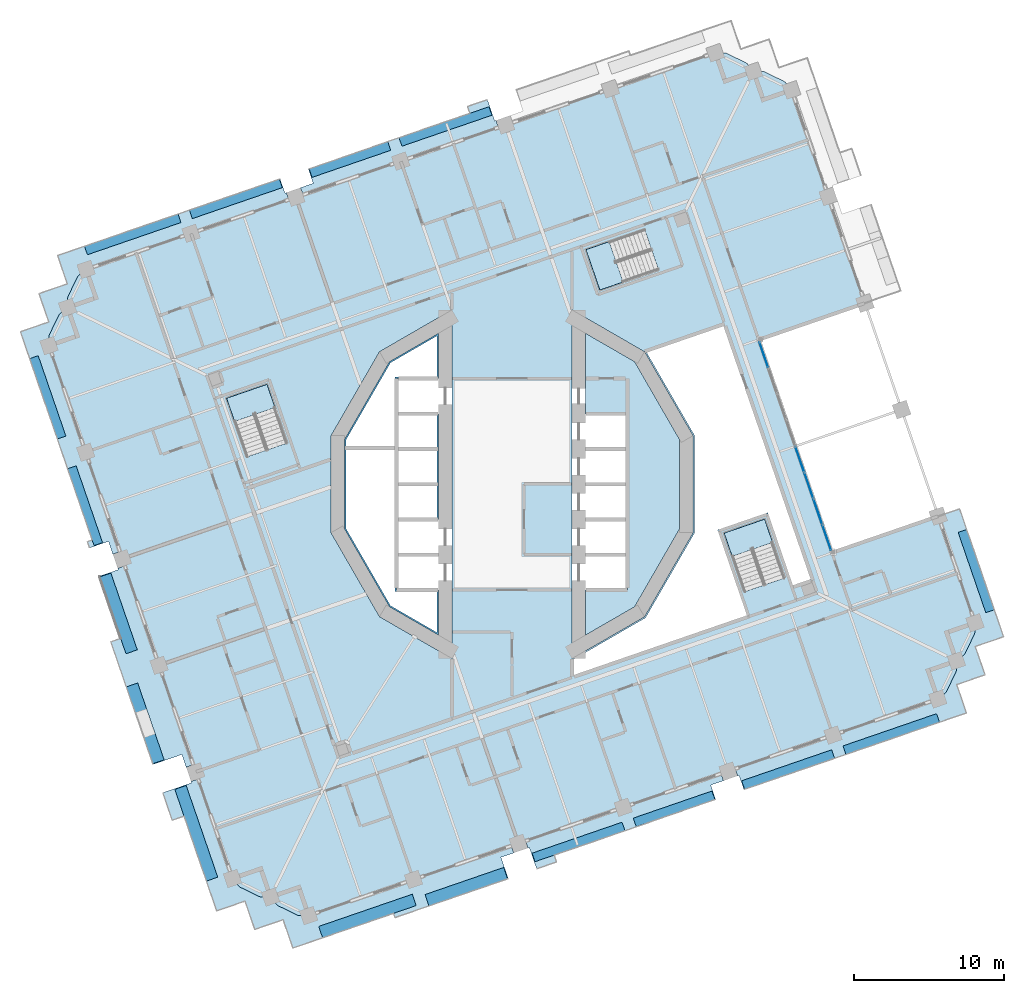
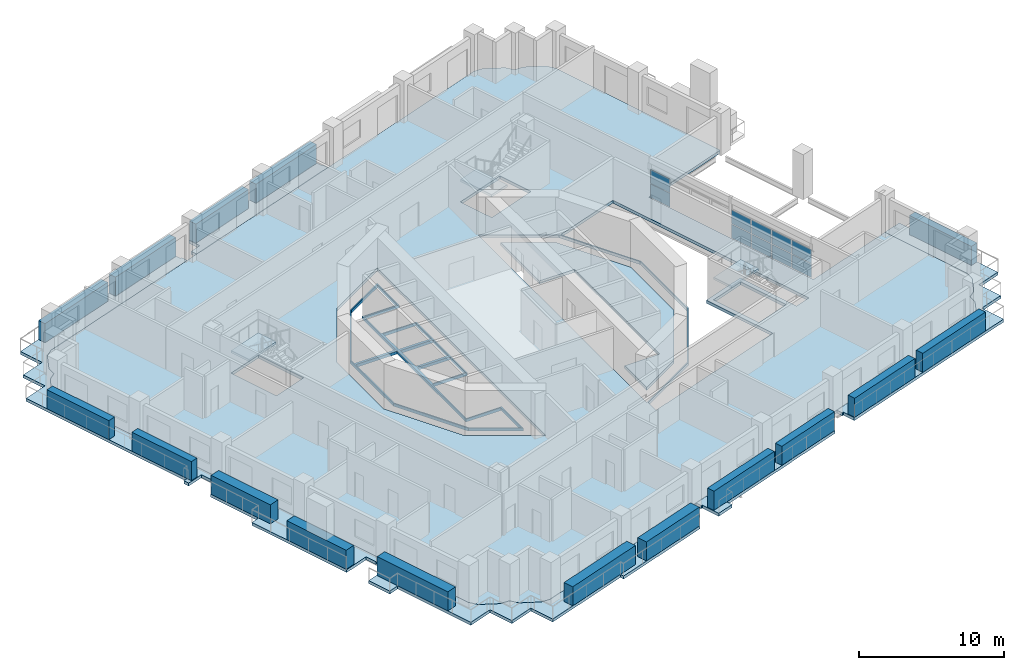
# One storey, part 6 of 22: 26 plates, 12 slabs, 4 elements without a shape of their own.
"""IFC4 building model written with IfcOpenShell, lengths in metres."""

import ifcopenshell
import ifcopenshell.guid

model = None  # the IFC model being written
_history = None  # IfcOwnerHistory: only IFC2X3 demands one
_inside = {}  # id of a spatial element -> (the spatial element, [elements in it])
_under = {}  # id of a project, library or spatial element -> (it, [spatial elements below it])
_declared = {}  # id of a project -> (the project, [libraries it declares])
_typed = {}  # id of a type object -> (the type object, [elements of that type])
_made_of = {}  # id of a material, layer set ... -> (it, [elements and type objects made of it])


def new_model(schema):
    """Start an empty IFC model of exactly this schema.

    Asked for "IFC4X3", IfcOpenShell would pick the latest addendum, in which some entities
    have other attributes; the version numbers below select the first issue.
    IFC2X3 requires an IfcOwnerHistory on every rooted entity: one is made here for all.
    """
    global model, _history
    if schema == "IFC4X3":
        model = ifcopenshell.file(schema_version=(4, 3, 0, 0))
    else:
        model = ifcopenshell.file(schema=schema)
    _inside.clear()
    _under.clear()
    _declared.clear()
    _typed.clear()
    _made_of.clear()
    _history = None
    if model.schema == "IFC2X3":
        org = make("IfcOrganization", Name="unknown")
        user = make(
            "IfcPersonAndOrganization",
            ThePerson=make("IfcPerson", FamilyName="unknown"),
            TheOrganization=org,
        )
        app = make(
            "IfcApplication",
            ApplicationDeveloper=org,
            Version="unknown",
            ApplicationFullName="unknown",
            ApplicationIdentifier="unknown",
        )
        _history = make(
            "IfcOwnerHistory",
            OwningUser=user,
            OwningApplication=app,
            ChangeAction="ADDED",
            CreationDate=0,
        )
    return model


def make(cls, **values):
    """One entity of the class cls with the attributes given. An attribute that is None is left unset."""
    return model.create_entity(
        cls, **{name: value for name, value in values.items() if value is not None}
    )


def rooted(cls, **values):
    """An entity with a GlobalId (a new one), such as an element, a storey or a relation."""
    return make(cls, GlobalId=ifcopenshell.guid.new(), OwnerHistory=_history, **values)


def si_unit(unit_type, name, prefix=None):
    """IfcSIUnit, for example si_unit("LENGTHUNIT", "METRE", prefix="MILLI")."""
    return make("IfcSIUnit", UnitType=unit_type, Prefix=prefix, Name=name)


def assignment(units):
    """IfcUnitAssignment: the units of a project."""
    return None if units is None else make("IfcUnitAssignment", Units=units)


def point(xyz):
    """IfcCartesianPoint."""
    return None if xyz is None else make("IfcCartesianPoint", Coordinates=xyz)


def direction(xyz):
    """IfcDirection."""
    return None if xyz is None else make("IfcDirection", DirectionRatios=xyz)


def frame(location, z_axis=None, x_axis=None):
    """IfcAxis2Placement3D, a coordinate frame: its origin and axes. An axis left out is left unset."""
    return make(
        "IfcAxis2Placement3D",
        Location=point(location),
        Axis=direction(z_axis),
        RefDirection=direction(x_axis),
    )


def frame_2d(location, x_axis=None):
    """IfcAxis2Placement2D, a coordinate frame in the plane: its origin and x axis."""
    return make(
        "IfcAxis2Placement2D", Location=point(location), RefDirection=direction(x_axis)
    )


def origin():
    """The frame at (0, 0, 0) with its axes left unset."""
    return frame((0.0, 0.0, 0.0))


def origin_2d():
    """The frame at (0, 0) in the plane with its x axis left unset."""
    return frame_2d((0.0, 0.0))


def place(relative_to, where):
    """IfcLocalPlacement: puts the frame where relative to a parent placement (None: the world)."""
    return make(
        "IfcLocalPlacement", PlacementRelTo=relative_to, RelativePlacement=where
    )


def context(
    kind, dimensions, precision=None, world=None, true_north=None, identifier=None
):
    """IfcGeometricRepresentationContext, for example the 3D "Model" context."""
    return make(
        "IfcGeometricRepresentationContext",
        ContextIdentifier=identifier,
        ContextType=kind,
        CoordinateSpaceDimension=dimensions,
        Precision=precision,
        WorldCoordinateSystem=world,
        TrueNorth=true_north,
    )


def subcontext(parent, identifier, kind, view, scale=None):
    """IfcGeometricRepresentationSubContext, for example "Body" below "Model"."""
    return make(
        "IfcGeometricRepresentationSubContext",
        ContextIdentifier=identifier,
        ContextType=kind,
        ParentContext=parent,
        TargetScale=scale,
        TargetView=view,
    )


def project(units=None, contexts=None):
    """IfcProject with its units and contexts."""
    return rooted(
        "IfcProject",
        Name="project",
        RepresentationContexts=contexts,
        UnitsInContext=assignment(units),
    )


def spatial(cls, under=None, at=None, **own):
    """A site, building, storey or space (cls), placed at a placement, below another one or the project."""
    s = rooted(cls, ObjectPlacement=at, **own)
    if under is not None:
        _under.setdefault(under.id(), (under, []))[1].append(s)
    return s


def polyline(points):
    """IfcPolyline through the points."""
    return make("IfcPolyline", Points=[point(p) for p in points])


def profile(cls, at=None, kind="AREA", **sizes):
    """A parametric profile (cls). Its sizes go by their IFC names, for example OverallWidth=200.0."""
    return make(cls, ProfileType=kind, Position=at, **sizes)


def rectangle(**sizes):
    """IfcRectangleProfileDef."""
    return profile("IfcRectangleProfileDef", **sizes)


def outline(outer, holes=None, kind="AREA"):
    """IfcArbitraryClosedProfileDef: a profile drawn as a closed curve; with holes, ...WithVoids."""
    if holes is None:
        return make("IfcArbitraryClosedProfileDef", ProfileType=kind, OuterCurve=outer)
    return make(
        "IfcArbitraryProfileDefWithVoids",
        ProfileType=kind,
        OuterCurve=outer,
        InnerCurves=holes,
    )


def extrude(swept, where, along, depth):
    """IfcExtrudedAreaSolid: the profile swept, set in the frame where, extruded along a direction by depth."""
    return make(
        "IfcExtrudedAreaSolid",
        SweptArea=swept,
        Position=where,
        ExtrudedDirection=direction(along),
        Depth=depth,
    )


def shape(context_of_items, identifier, shape_type, items):
    """IfcShapeRepresentation: the items that make up one representation, for example the "Body"."""
    return make(
        "IfcShapeRepresentation",
        ContextOfItems=context_of_items,
        RepresentationIdentifier=identifier,
        RepresentationType=shape_type,
        Items=items,
    )


def material(Name=None, Category=None):
    """IfcMaterial."""
    return make("IfcMaterial", Name=Name, Category=Category)


def layer(
    of_material, thickness, ventilated=None, Name=None, Category=None, Priority=None
):
    """IfcMaterialLayer: one layer of a wall or slab, of a material (None: an air gap)."""
    return make(
        "IfcMaterialLayer",
        Material=of_material,
        LayerThickness=thickness,
        IsVentilated=ventilated,
        Name=Name,
        Category=Category,
        Priority=Priority,
    )


def layer_set(layers, Name=None):
    """IfcMaterialLayerSet."""
    return make("IfcMaterialLayerSet", MaterialLayers=layers, LayerSetName=Name)


def made_of(thing, what):
    """Note that an element or type object is made of a material, layer set ...; save() writes the relation."""
    if what is not None:
        _made_of.setdefault(what.id(), (what, []))[1].append(thing)
    return thing


def type_object(cls, material=None, **own):
    """A type object (cls), such as IfcWallType, which elements share."""
    return made_of(rooted(cls, **own), material)


def element(
    cls,
    number,
    at=None,
    inside=None,
    cuts=None,
    type_object=None,
    material=None,
    context=None,
    identifier="Body",
    shape_type=None,
    held_by="IfcProductDefinitionShape",
    body=None,
    shapes=None,
    **own,
):
    """One element of the class cls, such as IfcWall. Its Tag is "e" and its number.

    at: its placement. inside: the storey or other place that contains it. cuts: it is an
    opening in that element (IfcRelVoidsElement). A single representation is given by context,
    identifier, shape_type and body (its items); several are given by shapes. held_by: the class
    of the entity that holds the representations. save() writes the other relations.
    """
    e = rooted(cls, Tag="e%d" % number, ObjectPlacement=at, **own)
    if body is not None:
        shapes = [shape(context, identifier, shape_type, body)]
    if shapes is not None:
        e.Representation = make(held_by, Representations=shapes)
    if inside is not None:
        _inside.setdefault(inside.id(), (inside, []))[1].append(e)
    if cuts is not None:
        rooted(
            "IfcRelVoidsElement", RelatingBuildingElement=cuts, RelatedOpeningElement=e
        )
    if type_object is not None:
        _typed.setdefault(type_object.id(), (type_object, []))[1].append(e)
    return made_of(e, material)


def aggregate(whole, parts):
    """IfcRelAggregates: a whole, such as a stair, and the parts it consists of."""
    return rooted("IfcRelAggregates", RelatingObject=whole, RelatedObjects=parts)


def save(model, path):
    """Write the relations noted so far, then the file.

    IfcRelAggregates (storeys below a building ...), IfcRelContainedInSpatialStructure (elements
    in a storey), IfcRelDefinesByType, IfcRelAssociatesMaterial and IfcRelDeclares: one each for
    every whole, place, type object, material and project.
    """
    for whole, parts in _under.values():
        aggregate(whole, parts)
    for where, things in _inside.values():
        rooted(
            "IfcRelContainedInSpatialStructure",
            RelatedElements=things,
            RelatingStructure=where,
        )
    for kind, things in _typed.values():
        rooted("IfcRelDefinesByType", RelatedObjects=things, RelatingType=kind)
    for what, things in _made_of.values():
        rooted("IfcRelAssociatesMaterial", RelatedObjects=things, RelatingMaterial=what)
    for by, libraries in _declared.values():
        rooted("IfcRelDeclares", RelatingContext=by, RelatedDefinitions=libraries)
    model.write(path)


model = new_model("IFC4")

# Units and contexts
model_context = context("Model", 3, precision=1e-05, world=origin(), true_north=direction((0.0, 1.0)))
body_context = subcontext(model_context, "Body", "Model", "MODEL_VIEW")
ifc_project = project(units=[si_unit("LENGTHUNIT", "METRE"), si_unit("AREAUNIT", "SQUARE_METRE"), si_unit("VOLUMEUNIT", "CUBIC_METRE"), si_unit("PLANEANGLEUNIT", "RADIAN"), si_unit("MASSUNIT", "GRAM", prefix="KILO")], contexts=[model_context])

# Site, building, storey
site_placement = place(None, origin())
site = spatial("IfcSite", under=ifc_project, at=site_placement, CompositionType="ELEMENT")
building_placement = place(site_placement, origin())
building = spatial("IfcBuilding", under=site, at=building_placement, Name="Cantera Rosa Tower", CompositionType="ELEMENT")
storey_placement = place(building_placement, frame((0.0, 0.0, 115.5)))
storey = spatial("IfcBuildingStorey", under=building, at=storey_placement, Name="L23", CompositionType="ELEMENT", Elevation=115.5)

# Slabs
ifc_material_1 = material(Name="Concrete C35/45", Category="concrete")
ifc_layer_1 = layer(ifc_material_1, 0.25)
ifc_layer_set_1 = layer_set([ifc_layer_1], Name="COMPOSITE FLOOR SLAB 250 C35/45")
slab_type_1 = type_object("IfcSlabType", Name="COMPOSITE FLOOR SLAB 250 C35/45", PredefinedType="FLOOR", material=ifc_layer_set_1)
slab_1_placement = place(storey_placement, frame((0.0, 0.0, -0.25)))
element("IfcSlab", 1, at=slab_1_placement, inside=storey, type_object=slab_type_1, Name="SLAB L23 floor 1", PredefinedType="FLOOR", context=body_context, shape_type="SweptSolid", body=[
    extrude(outline(polyline([(-7.699951171875, -4.699951171875), (-7.699951171875, -7.050048828125), (-4.89990234375, -7.050048828125), (-4.89990234375, -10.07373046875), (-8.179931640625, -8.179931640625), (-11.174072265625, -2.994140625), (-11.174072265625, 2.994140625), (-8.179931640625, 8.179931640625), (-4.89990234375, 10.07373046875), (-4.89990234375, 7.050048828125), (-7.699951171875, 7.050048828125), (-7.699951171875, 4.699951171875), (-4.89990234375, 4.699951171875), (-4.89990234375, -2.35009765625), (-7.699951171875, -2.35009765625), (-7.699951171875, -4.699951171875)]), holes=[polyline([(-5.0, -9.900390625), (-5.0, -7.14990234375), (-7.800048828125, -7.14990234375), (-7.800048828125, -2.449951171875), (-7.800048828125, -2.25), (-7.800048828125, 2.25), (-7.800048828125, 2.317626953125), (-11.07421875, 2.317626953125), (-11.07421875, -2.96728515625), (-8.106689453125, -8.106689453125), (-5.0, -9.900390625)]), polyline([(-7.60009765625, -0.10009765625), (-7.60009765625, -2.25), (-5.0, -2.25), (-5.0, -0.10009765625), (-7.60009765625, -0.10009765625)]), polyline([(-7.60009765625, 0.10009765625), (-5.0, 0.10009765625), (-5.0, 2.25), (-7.60009765625, 2.25), (-7.60009765625, 0.10009765625)]), polyline([(-7.60009765625, 2.449951171875), (-5.0, 2.449951171875), (-5.0, 4.60009765625), (-7.60009765625, 4.60009765625), (-7.60009765625, 2.449951171875)]), polyline([(-11.07421875, 2.517578125), (-7.800048828125, 2.517578125), (-7.800048828125, 7.14990234375), (-5.0, 7.14990234375), (-5.0, 9.900390625), (-8.106689453125, 8.106689453125), (-11.07421875, 2.96728515625), (-11.07421875, 2.517578125)])]), origin(), (0.0, 0.0, 1.0), 0.25),
])
slab_2_placement = place(storey_placement, frame((0.0, 0.0, -0.25)))
element("IfcSlab", 2, at=slab_2_placement, inside=storey, type_object=slab_type_1, Name="SLAB L23 floor 2", PredefinedType="FLOOR", context=body_context, shape_type="SweptSolid", body=[
    extrude(outline(polyline([(-14.334716796875, -28.7451171875), (-15.605712890625, -28.125), (-15.631591796875, -28.111083984375), (-15.65576171875, -28.09423828125), (-15.67822265625, -28.075439453125), (-15.698974609375, -28.05419921875), (-16.109619140625, -27.54541015625), (-16.763671875, -27.534912109375), (-16.79296875, -27.53173828125), (-16.82177734375, -27.525634765625), (-16.849609375, -27.516845703125), (-16.876708984375, -27.505126953125), (-18.14794921875, -26.88525390625), (-18.173583984375, -26.87109375), (-18.197998046875, -26.8544921875), (-18.220458984375, -26.83544921875), (-18.240966796875, -26.814453125), (-18.65185546875, -26.3056640625), (-18.948974609375, -25.443115234375), (-30.893310546875, 9.245849609375), (-30.8828125, 9.899658203125), (-30.87939453125, 9.928955078125), (-30.873291015625, 9.957763671875), (-30.864501953125, 9.98583984375), (-30.852783203125, 10.012939453125), (-30.23291015625, 11.283935546875), (-30.21875, 11.309814453125), (-30.2021484375, 11.333984375), (-30.18310546875, 11.356689453125), (-30.162109375, 11.377197265625), (-29.6533203125, 11.7880859375), (-29.642822265625, 12.44189453125), (-29.6396484375, 12.47119140625), (-29.633544921875, 12.5), (-29.62451171875, 12.528076171875), (-29.613037109375, 12.55517578125), (-28.9931640625, 13.826171875), (-28.97900390625, 13.85205078125), (-28.962158203125, 13.876220703125), (-28.943359375, 13.898681640625), (-28.922119140625, 13.91943359375), (-28.41357421875, 14.330078125), (-27.55078125, 14.627197265625), (13.567626953125, 28.785400390625), (14.221435546875, 28.77490234375), (14.250732421875, 28.771728515625), (14.279541015625, 28.765625), (14.3076171875, 28.756591796875), (14.334716796875, 28.7451171875), (15.605712890625, 28.125), (15.631591796875, 28.111083984375), (15.65576171875, 28.09423828125), (15.67822265625, 28.075439453125), (15.698974609375, 28.05419921875), (16.109619140625, 27.54541015625), (16.763671875, 27.534912109375), (16.79296875, 27.53173828125), (16.82177734375, 27.525634765625), (16.849609375, 27.516845703125), (16.876708984375, 27.505126953125), (18.14794921875, 26.88525390625), (18.173583984375, 26.87109375), (18.197998046875, 26.8544921875), (18.220458984375, 26.83544921875), (18.240966796875, 26.814453125), (18.65185546875, 26.3056640625), (18.948974609375, 25.443115234375), (23.548583984375, 12.0849609375), (16.45703125, 9.643310546875), (21.353515625, -4.577392578125), (28.445068359375, -2.135498046875), (30.893310546875, -9.245849609375), (30.8828125, -9.899658203125), (30.87939453125, -9.928955078125), (30.873291015625, -9.957763671875), (30.864501953125, -9.98583984375), (30.852783203125, -10.012939453125), (30.23291015625, -11.283935546875), (30.21875, -11.309814453125), (30.2021484375, -11.333984375), (30.18310546875, -11.356689453125), (30.162109375, -11.377197265625), (29.6533203125, -11.7880859375), (29.642822265625, -12.44189453125), (29.6396484375, -12.47119140625), (29.633544921875, -12.5), (29.62451171875, -12.528076171875), (29.613037109375, -12.55517578125), (28.9931640625, -13.826171875), (28.97900390625, -13.85205078125), (28.962158203125, -13.876220703125), (28.943359375, -13.898681640625), (28.922119140625, -13.91943359375), (28.41357421875, -14.330078125), (27.55078125, -14.627197265625), (-13.567626953125, -28.785400390625), (-14.221435546875, -28.77490234375), (-14.250732421875, -28.771728515625), (-14.279541015625, -28.765625), (-14.3076171875, -28.756591796875), (-14.334716796875, -28.7451171875)]), holes=[polyline([(-4.0, 11.632568359375), (-8.8388671875, 8.8388671875), (-12.07421875, 3.235107421875), (-12.07421875, -3.235107421875), (-8.8388671875, -8.8388671875), (-4.0, -11.632568359375), (-4.0, 11.632568359375)]), polyline([(-15.000732421875, 2.751708984375), (-16.347900390625, 6.6640625), (-19.042724609375, 5.736083984375), (-17.695556640625, 1.82373046875), (-15.000732421875, 2.751708984375)]), polyline([(18.19921875, -6.248291015625), (16.85205078125, -2.3359375), (14.1572265625, -3.263916015625), (15.50439453125, -7.17626953125), (18.19921875, -6.248291015625)]), polyline([(15.68359375, -8.771728515625), (13.71240234375, -3.046875), (17.069091796875, -1.89111328125), (18.747314453125, -6.764892578125), (19.954345703125, -6.349365234375), (14.126708984375, 10.5751953125), (8.9755859375, 8.8017578125), (12.174072265625, 3.261962890625), (12.174072265625, -3.261962890625), (8.912109375, -8.912109375), (4.10009765625, -11.690185546875), (4.10009765625, -12.760498046875), (15.68359375, -8.771728515625)]), polyline([(8.8388671875, -8.8388671875), (12.07421875, -3.235107421875), (12.07421875, 3.235107421875), (8.8388671875, 8.8388671875), (4.0, 11.632568359375), (4.0, -11.632568359375), (8.8388671875, -8.8388671875)]), polyline([(9.7763671875, 14.304443359375), (8.848388671875, 16.999267578125), (4.935791015625, 15.652099609375), (5.86376953125, 12.957275390625), (9.7763671875, 14.304443359375)])]), origin(), (0.0, 0.0, 1.0), 0.25),
])
slab_3_placement = place(storey_placement, frame((0.0, 0.0, -0.25)))
element("IfcSlab", 3, at=slab_3_placement, inside=storey, type_object=slab_type_1, Name="SLAB L23 floor 3", PredefinedType="FLOOR", context=body_context, shape_type="SweptSolid", body=[
    extrude(outline(polyline([(7.699951171875, 0.0), (7.699951171875, 2.35009765625), (7.699951171875, 4.699951171875), (4.89990234375, 4.699951171875), (4.89990234375, 10.07373046875), (8.179931640625, 8.179931640625), (11.174072265625, 2.994140625), (11.174072265625, -2.994140625), (8.179931640625, -8.179931640625), (4.89990234375, -10.07373046875), (4.89990234375, -7.050048828125), (7.699951171875, -7.050048828125), (7.699951171875, -4.699951171875), (7.699951171875, -2.35009765625), (7.699951171875, 0.0)])), origin(), (0.0, 0.0, 1.0), 0.25),
])

# Curtain wall, plates
ifc_material_2 = material(Name="Aluminium frame with clear glass", Category="aluminium")
curtain_wall_type = type_object("IfcCurtainWallType", Name="CW1 TERRACE POCKET GLAZING", PredefinedType="NOTDEFINED", material=ifc_material_2)
curtain_wall_placement = place(storey_placement, origin())
curtain_wall = element("IfcCurtainWall", 4, at=curtain_wall_placement, inside=storey, type_object=curtain_wall_type, Name="CW1 CW1", PredefinedType="NOTDEFINED")
ifc_material_3 = material(Name="Aluminium frame with clear glass", Category="aluminium")
ifc_layer_2 = layer(ifc_material_3, 0.028076171875)
ifc_layer_set_2 = layer_set([ifc_layer_2], Name="CW-PANEL POCKET")
plate_type_1 = type_object("IfcPlateType", Name="CW-PANEL POCKET", PredefinedType="CURTAIN_PANEL", material=ifc_layer_set_2)
plate_1_placement = place(storey_placement, frame((21.007080078125, -3.571044921875, 0.06005859375), z_axis=(0.0, 0.0, 1.0), x_axis=(-0.32556815449, 0.945518575588, 0.0)))
plate_1 = element("IfcPlate", 5, at=plate_1_placement, type_object=plate_type_1, Name="CW1 panel 1.1", PredefinedType="CURTAIN_PANEL", context=body_context, shape_type="SweptSolid", body=[
    extrude(rectangle(XDim=1.7587890625, YDim=0.028076171875, at=origin_2d()), origin(), (0.0, 0.0, 1.0), 1.14990234375),
])
plate_2_placement = place(storey_placement, frame((21.007080078125, -3.571044921875, 1.27001953125), z_axis=(0.0, 0.0, 1.0), x_axis=(-0.32556815449, 0.945518575588, 0.0)))
plate_2 = element("IfcPlate", 6, at=plate_2_placement, type_object=plate_type_1, Name="CW1 panel 1.2", PredefinedType="CURTAIN_PANEL", context=body_context, shape_type="SweptSolid", body=[
    extrude(rectangle(XDim=1.7587890625, YDim=0.028076171875, at=origin_2d()), origin(), (0.0, 0.0, 1.0), 1.14990234375),
])
plate_3_placement = place(storey_placement, frame((20.41015625, -1.837158203125, 0.06005859375), z_axis=(0.0, 0.0, 1.0), x_axis=(-0.32556815449, 0.945518575588, 0.0)))
plate_3 = element("IfcPlate", 7, at=plate_3_placement, type_object=plate_type_1, Name="CW1 panel 2.1", PredefinedType="CURTAIN_PANEL", context=body_context, shape_type="SweptSolid", body=[
    extrude(rectangle(XDim=1.788818359375, YDim=0.028076171875, at=origin_2d()), origin(), (0.0, 0.0, 1.0), 1.14990234375),
])
plate_4_placement = place(storey_placement, frame((20.41015625, -1.837158203125, 1.27001953125), z_axis=(0.0, 0.0, 1.0), x_axis=(-0.32556815449, 0.945518575588, 0.0)))
plate_4 = element("IfcPlate", 8, at=plate_4_placement, type_object=plate_type_1, Name="CW1 panel 2.2", PredefinedType="CURTAIN_PANEL", context=body_context, shape_type="SweptSolid", body=[
    extrude(rectangle(XDim=1.788818359375, YDim=0.028076171875, at=origin_2d()), origin(), (0.0, 0.0, 1.0), 1.14990234375),
])
plate_5_placement = place(storey_placement, frame((19.80810546875, -0.089111328125, 0.06005859375), z_axis=(0.0, 0.0, 1.0), x_axis=(-0.32556815449, 0.945518575588, 0.0)))
plate_5 = element("IfcPlate", 9, at=plate_5_placement, type_object=plate_type_1, Name="CW1 panel 3.1", PredefinedType="CURTAIN_PANEL", context=body_context, shape_type="SweptSolid", body=[
    extrude(rectangle(XDim=1.788818359375, YDim=0.028076171875, at=origin_2d()), origin(), (0.0, 0.0, 1.0), 1.14990234375),
])
plate_6_placement = place(storey_placement, frame((19.80810546875, -0.089111328125, 1.27001953125), z_axis=(0.0, 0.0, 1.0), x_axis=(-0.32556815449, 0.945518575588, 0.0)))
plate_6 = element("IfcPlate", 10, at=plate_6_placement, type_object=plate_type_1, Name="CW1 panel 3.2", PredefinedType="CURTAIN_PANEL", context=body_context, shape_type="SweptSolid", body=[
    extrude(rectangle(XDim=1.788818359375, YDim=0.028076171875, at=origin_2d()), origin(), (0.0, 0.0, 1.0), 1.14990234375),
])
plate_7_placement = place(storey_placement, frame((19.206298828125, 1.658935546875, 0.06005859375), z_axis=(0.0, 0.0, 1.0), x_axis=(-0.32556815449, 0.945518575588, 0.0)))
plate_7 = element("IfcPlate", 11, at=plate_7_placement, type_object=plate_type_1, Name="CW1 panel 4.1", PredefinedType="CURTAIN_PANEL", context=body_context, shape_type="SweptSolid", body=[
    extrude(rectangle(XDim=1.788818359375, YDim=0.028076171875, at=origin_2d()), origin(), (0.0, 0.0, 1.0), 1.14990234375),
])
plate_8_placement = place(storey_placement, frame((19.206298828125, 1.658935546875, 1.27001953125), z_axis=(0.0, 0.0, 1.0), x_axis=(-0.32556815449, 0.945518575588, 0.0)))
plate_8 = element("IfcPlate", 12, at=plate_8_placement, type_object=plate_type_1, Name="CW1 panel 4.2", PredefinedType="CURTAIN_PANEL", context=body_context, shape_type="SweptSolid", body=[
    extrude(rectangle(XDim=1.788818359375, YDim=0.028076171875, at=origin_2d()), origin(), (0.0, 0.0, 1.0), 1.14990234375),
])
plate_9_placement = place(storey_placement, frame((16.803466796875, 8.636962890625, 0.06005859375), z_axis=(0.0, 0.0, 1.0), x_axis=(-0.32556815449, 0.945518575588, 0.0)))
plate_9 = element("IfcPlate", 13, at=plate_9_placement, type_object=plate_type_1, Name="CW1 panel 8.1", PredefinedType="CURTAIN_PANEL", context=body_context, shape_type="SweptSolid", body=[
    extrude(rectangle(XDim=1.7587890625, YDim=0.028076171875, at=origin_2d()), origin(), (0.0, 0.0, 1.0), 1.14990234375),
])
plate_10_placement = place(storey_placement, frame((16.803466796875, 8.636962890625, 1.27001953125), z_axis=(0.0, 0.0, 1.0), x_axis=(-0.32556815449, 0.945518575588, 0.0)))
plate_10 = element("IfcPlate", 14, at=plate_10_placement, type_object=plate_type_1, Name="CW1 panel 8.2", PredefinedType="CURTAIN_PANEL", context=body_context, shape_type="SweptSolid", body=[
    extrude(rectangle(XDim=1.7587890625, YDim=0.028076171875, at=origin_2d()), origin(), (0.0, 0.0, 1.0), 1.14990234375),
])
aggregate(curtain_wall, [plate_1, plate_2, plate_3, plate_4, plate_5, plate_6, plate_7, plate_8, plate_9, plate_10])

# Slabs
ifc_material_4 = material(Name="Concrete C35/45", Category="concrete")
ifc_layer_3 = layer(ifc_material_4, 0.25)
ifc_layer_set_3 = layer_set([ifc_layer_3], Name="LOGGIA SLAB 250 C35/45")
slab_type_2 = type_object("IfcSlabType", Name="LOGGIA SLAB 250 C35/45", PredefinedType="FLOOR", material=ifc_layer_set_3)
slab_4_placement = place(storey_placement, frame((0.0, 0.0, -0.25)))
element("IfcSlab", 15, at=slab_4_placement, inside=storey, type_object=slab_type_2, Name="LOGGIA SLAB L23 1", PredefinedType="FLOOR", context=body_context, shape_type="SweptSolid", body=[
    extrude(outline(polyline([(-29.375, 0.22900390625), (-30.3515625, 3.0654296875), (-32.3115234375, 8.757568359375), (-32.7998046875, 10.17578125), (-31.381591796875, 10.6640625), (-30.908935546875, 10.826904296875), (-31.071533203125, 11.2998046875), (-31.56005859375, 12.718017578125), (-30.1416015625, 13.206298828125), (-29.6689453125, 13.369140625), (-29.831787109375, 13.841796875), (-30.320068359375, 15.260009765625), (-28.90185546875, 15.74853515625), (-23.3232421875, 17.669189453125), (-20.48681640625, 18.64599609375), (-16.326416015625, 20.07861328125), (-15.4755859375, 20.37158203125), (-15.14990234375, 19.426025390625), (-15.055419921875, 19.45849609375), (-14.892578125, 18.98583984375), (-27.55078125, 14.627197265625), (-28.41357421875, 14.330078125), (-28.922119140625, 13.91943359375), (-28.943359375, 13.898681640625), (-28.962158203125, 13.876220703125), (-28.97900390625, 13.85205078125), (-28.9931640625, 13.826171875), (-29.613037109375, 12.55517578125), (-29.62451171875, 12.528076171875), (-29.633544921875, 12.5), (-29.6396484375, 12.47119140625), (-29.642822265625, 12.44189453125), (-29.6533203125, 11.7880859375), (-30.162109375, 11.377197265625), (-30.18310546875, 11.356689453125), (-30.2021484375, 11.333984375), (-30.21875, 11.309814453125), (-30.23291015625, 11.283935546875), (-30.852783203125, 10.012939453125), (-30.864501953125, 9.98583984375), (-30.873291015625, 9.957763671875), (-30.87939453125, 9.928955078125), (-30.8828125, 9.899658203125), (-30.893310546875, 9.245849609375), (-26.159423828125, -4.501953125), (-26.63232421875, -4.664794921875), (-26.92529296875, -3.813720703125), (-28.18896484375, -4.248779296875), (-28.3310546875, -3.836181640625), (-28.012939453125, -3.7265625), (-29.375, 0.22900390625)])), origin(), (0.0, 0.0, 1.0), 0.25),
])
slab_5_placement = place(storey_placement, frame((0.0, 0.0, -0.25)))
element("IfcSlab", 16, at=slab_5_placement, inside=storey, type_object=slab_type_2, Name="LOGGIA SLAB L23 2", PredefinedType="FLOOR", context=body_context, shape_type="SweptSolid", body=[
    extrude(outline(polyline([(-27.537841796875, -6.139892578125), (-26.274169921875, -5.704833984375), (-26.306640625, -5.6103515625), (-25.833984375, -5.447509765625), (-21.262939453125, -18.72265625), (-21.735595703125, -18.885498046875), (-22.02880859375, -18.034423828125), (-23.9521484375, -18.69677734375), (-26.769775390625, -10.513916015625), (-26.110107421875, -10.28662109375), (-27.537841796875, -6.139892578125)])), origin(), (0.0, 0.0, 1.0), 0.25),
])
slab_6_placement = place(storey_placement, frame((0.0, 0.0, -0.25)))
element("IfcSlab", 17, at=slab_6_placement, inside=storey, type_object=slab_type_2, Name="LOGGIA SLAB L23 3", PredefinedType="FLOOR", context=body_context, shape_type="SweptSolid", body=[
    extrude(outline(polyline([(-13.01416015625, -30.392822265625), (-14.62158203125, -30.9462890625), (-15.1748046875, -29.3388671875), (-15.272705078125, -29.05517578125), (-15.556396484375, -29.15283203125), (-17.16357421875, -29.706298828125), (-17.717041015625, -28.09912109375), (-17.814697265625, -27.815185546875), (-18.098388671875, -27.9130859375), (-19.705810546875, -28.466552734375), (-20.25927734375, -26.859130859375), (-21.882568359375, -22.14501953125), (-22.67138671875, -22.41650390625), (-23.301025390625, -20.587646484375), (-21.377685546875, -19.92529296875), (-21.41015625, -19.830810546875), (-20.9375, -19.668212890625), (-18.948974609375, -25.443115234375), (-18.65185546875, -26.3056640625), (-18.240966796875, -26.814453125), (-18.220458984375, -26.83544921875), (-18.197998046875, -26.8544921875), (-18.173583984375, -26.87109375), (-18.14794921875, -26.88525390625), (-16.876708984375, -27.505126953125), (-16.849609375, -27.516845703125), (-16.82177734375, -27.525634765625), (-16.79296875, -27.53173828125), (-16.763671875, -27.534912109375), (-16.109619140625, -27.54541015625), (-15.698974609375, -28.05419921875), (-15.67822265625, -28.075439453125), (-15.65576171875, -28.09423828125), (-15.631591796875, -28.111083984375), (-15.605712890625, -28.125), (-14.334716796875, -28.7451171875), (-14.3076171875, -28.756591796875), (-14.279541015625, -28.765625), (-14.250732421875, -28.771728515625), (-14.221435546875, -28.77490234375), (-13.567626953125, -28.785400390625), (-0.046630859375, -24.1298828125), (0.1162109375, -24.6025390625), (-0.73486328125, -24.8955078125), (-0.24658203125, -26.31298828125), (-7.81005859375, -28.91748046875), (-7.907470703125, -28.634521484375), (-13.01416015625, -30.392822265625)])), origin(), (0.0, 0.0, 1.0), 0.25),
])
slab_7_placement = place(storey_placement, frame((0.0, 0.0, -0.25)))
element("IfcSlab", 18, at=slab_7_placement, inside=storey, type_object=slab_type_2, Name="LOGGIA SLAB L23 4", PredefinedType="FLOOR", context=body_context, shape_type="SweptSolid", body=[
    extrude(outline(polyline([(-9.348388671875, 22.496826171875), (-2.8095703125, 24.748291015625), (-2.96728515625, 25.206298828125), (-1.644287109375, 25.661865234375), (-1.15625, 24.244384765625), (-1.061767578125, 24.277099609375), (-0.89892578125, 23.80419921875), (-13.947021484375, 19.311279296875), (-14.10986328125, 19.7841796875), (-13.2587890625, 20.0771484375), (-13.58447265625, 21.022705078125), (-13.489990234375, 21.05517578125), (-9.343505859375, 22.48291015625), (-9.348388671875, 22.496826171875)])), origin(), (0.0, 0.0, 1.0), 0.25),
])
slab_8_placement = place(storey_placement, frame((0.0, 0.0, -0.25)))
element("IfcSlab", 19, at=slab_8_placement, inside=storey, type_object=slab_type_2, Name="LOGGIA SLAB L23 5", PredefinedType="FLOOR", context=body_context, shape_type="SweptSolid", body=[
    extrude(outline(polyline([(1.061767578125, -24.277099609375), (0.89892578125, -23.80419921875), (13.947021484375, -19.311279296875), (14.10986328125, -19.7841796875), (13.2587890625, -20.0771484375), (13.58447265625, -21.022705078125), (13.489990234375, -21.05517578125), (9.343505859375, -22.48291015625), (9.348388671875, -22.496826171875), (2.8095703125, -24.748291015625), (2.96728515625, -25.206298828125), (1.644287109375, -25.661865234375), (1.15625, -24.244384765625), (1.061767578125, -24.277099609375)])), origin(), (0.0, 0.0, 1.0), 0.25),
])
slab_9_placement = place(storey_placement, frame((0.0, 0.0, -0.25)))
element("IfcSlab", 20, at=slab_9_placement, inside=storey, type_object=slab_type_2, Name="LOGGIA SLAB L23 8", PredefinedType="FLOOR", context=body_context, shape_type="SweptSolid", body=[
    extrude(outline(polyline([(32.3115234375, -8.757568359375), (32.7998046875, -10.17578125), (31.381591796875, -10.6640625), (30.908935546875, -10.826904296875), (31.071533203125, -11.2998046875), (31.56005859375, -12.718017578125), (30.1416015625, -13.206298828125), (29.6689453125, -13.369140625), (29.831787109375, -13.841796875), (30.320068359375, -15.260009765625), (28.90185546875, -15.74853515625), (23.3232421875, -17.669189453125), (20.48681640625, -18.64599609375), (16.326416015625, -20.07861328125), (15.4755859375, -20.37158203125), (15.14990234375, -19.426025390625), (15.055419921875, -19.45849609375), (14.892578125, -18.98583984375), (27.55078125, -14.627197265625), (28.41357421875, -14.330078125), (28.922119140625, -13.91943359375), (28.943359375, -13.898681640625), (28.962158203125, -13.876220703125), (28.97900390625, -13.85205078125), (28.9931640625, -13.826171875), (29.613037109375, -12.55517578125), (29.62451171875, -12.528076171875), (29.633544921875, -12.5), (29.6396484375, -12.47119140625), (29.642822265625, -12.44189453125), (29.6533203125, -11.7880859375), (30.162109375, -11.377197265625), (30.18310546875, -11.356689453125), (30.2021484375, -11.333984375), (30.21875, -11.309814453125), (30.23291015625, -11.283935546875), (30.852783203125, -10.012939453125), (30.864501953125, -9.98583984375), (30.873291015625, -9.957763671875), (30.87939453125, -9.928955078125), (30.8828125, -9.899658203125), (30.893310546875, -9.245849609375), (28.445068359375, -2.135498046875), (29.86328125, -1.647216796875), (30.3515625, -3.0654296875), (32.3115234375, -8.757568359375)])), origin(), (0.0, 0.0, 1.0), 0.25),
])

# Plates
ifc_material_5 = material(Name="Cantera stone planter with soil", Category="masonry")
plate_type_2 = type_object("IfcPlateType", Name="PLANTER 600", PredefinedType="USERDEFINED", material=ifc_material_5)
plate_11_placement = place(storey_placement, frame((30.974609375, -5.79638671875, 0.0), z_axis=(0.0, 0.0, 1.0), x_axis=(-0.325568154457, 0.945518575599, 0.0)))
element("IfcPlate", 21, at=plate_11_placement, inside=storey, type_object=plate_type_2, Name="PLANTER L23-01", ObjectType="PLANTER", PredefinedType="USERDEFINED", context=body_context, shape_type="SweptSolid", body=[
    extrude(rectangle(XDim=5.669921875, YDim=0.60009765625, at=origin_2d()), origin(), (0.0, 0.0, 1.0), 1.60009765625),
])
plate_12_placement = place(storey_placement, frame((-4.438232421875, 23.870361328125, 0.0), z_axis=(0.0, 0.0, 1.0), x_axis=(-0.945518575599, -0.325568154457, 0.0)))
element("IfcPlate", 22, at=plate_12_placement, inside=storey, type_object=plate_type_2, Name="PLANTER L23-08", ObjectType="PLANTER", PredefinedType="USERDEFINED", context=body_context, shape_type="SweptSolid", body=[
    extrude(rectangle(XDim=6.35009765625, YDim=0.60009765625, at=origin_2d()), origin(), (0.0, 0.0, 1.0), 1.60009765625),
])
plate_13_placement = place(storey_placement, frame((-10.815673828125, 21.65869140625, 0.0), z_axis=(0.0, 0.0, 1.0), x_axis=(-0.945518575599, -0.325568154457, 0.0)))
element("IfcPlate", 23, at=plate_13_placement, inside=storey, type_object=plate_type_2, Name="PLANTER L23-09", ObjectType="PLANTER", PredefinedType="USERDEFINED", context=body_context, shape_type="SweptSolid", body=[
    extrude(rectangle(XDim=5.550048828125, YDim=0.60009765625, at=origin_2d()), origin(), (0.0, 0.0, 1.0), 1.60009765625),
])
plate_14_placement = place(storey_placement, frame((-18.427001953125, 19.037841796875, 0.0), z_axis=(0.0, 0.0, 1.0), x_axis=(-0.945518575599, -0.325568154457, 0.0)))
element("IfcPlate", 24, at=plate_14_placement, inside=storey, type_object=plate_type_2, Name="PLANTER L23-10", ObjectType="PLANTER", PredefinedType="USERDEFINED", context=body_context, shape_type="SweptSolid", body=[
    extrude(rectangle(XDim=6.35009765625, YDim=0.60009765625, at=origin_2d()), origin(), (0.0, 0.0, 1.0), 1.60009765625),
])
plate_15_placement = place(storey_placement, frame((-25.3056640625, 16.66943359375, 0.0), z_axis=(0.0, 0.0, 1.0), x_axis=(-0.945518575599, -0.325568154457, 0.0)))
element("IfcPlate", 25, at=plate_15_placement, inside=storey, type_object=plate_type_2, Name="PLANTER L23-11", ObjectType="PLANTER", PredefinedType="USERDEFINED", context=body_context, shape_type="SweptSolid", body=[
    extrude(rectangle(XDim=6.60009765625, YDim=0.60009765625, at=origin_2d()), origin(), (0.0, 0.0, 1.0), 1.60009765625),
])
plate_16_placement = place(storey_placement, frame((-30.974609375, 5.79638671875, 0.0), z_axis=(0.0, 0.0, 1.0), x_axis=(0.325568154457, -0.945518575599, 0.0)))
element("IfcPlate", 26, at=plate_16_placement, inside=storey, type_object=plate_type_2, Name="PLANTER L23-12", ObjectType="PLANTER", PredefinedType="USERDEFINED", context=body_context, shape_type="SweptSolid", body=[
    extrude(rectangle(XDim=5.669921875, YDim=0.60009765625, at=origin_2d()), origin(), (0.0, 0.0, 1.0), 1.60009765625),
])
plate_17_placement = place(storey_placement, frame((-28.485595703125, -1.43212890625, 0.0), z_axis=(0.0, 0.0, 1.0), x_axis=(0.325568154457, -0.945518575599, 0.0)))
element("IfcPlate", 27, at=plate_17_placement, inside=storey, type_object=plate_type_2, Name="PLANTER L23-13", ObjectType="PLANTER", PredefinedType="USERDEFINED", context=body_context, shape_type="SweptSolid", body=[
    extrude(rectangle(XDim=5.419921875, YDim=0.60009765625, at=origin_2d()), origin(), (0.0, 0.0, 1.0), 1.60009765625),
])
plate_18_placement = place(storey_placement, frame((4.438232421875, -23.870361328125, 0.0), z_axis=(0.0, 0.0, 1.0), x_axis=(0.945518575599, 0.325568154457, 0.0)))
element("IfcPlate", 28, at=plate_18_placement, inside=storey, type_object=plate_type_2, Name="PLANTER L23-19", ObjectType="PLANTER", PredefinedType="USERDEFINED", context=body_context, shape_type="SweptSolid", body=[
    extrude(rectangle(XDim=6.35009765625, YDim=0.60009765625, at=origin_2d()), origin(), (0.0, 0.0, 1.0), 1.60009765625),
])
plate_19_placement = place(storey_placement, frame((10.815673828125, -21.65869140625, 0.0), z_axis=(0.0, 0.0, 1.0), x_axis=(0.945518575599, 0.325568154457, 0.0)))
element("IfcPlate", 29, at=plate_19_placement, inside=storey, type_object=plate_type_2, Name="PLANTER L23-20", ObjectType="PLANTER", PredefinedType="USERDEFINED", context=body_context, shape_type="SweptSolid", body=[
    extrude(rectangle(XDim=5.550048828125, YDim=0.60009765625, at=origin_2d()), origin(), (0.0, 0.0, 1.0), 1.60009765625),
])
plate_20_placement = place(storey_placement, frame((18.427001953125, -19.037841796875, 0.0), z_axis=(0.0, 0.0, 1.0), x_axis=(0.945518575599, 0.325568154457, 0.0)))
element("IfcPlate", 30, at=plate_20_placement, inside=storey, type_object=plate_type_2, Name="PLANTER L23-21", ObjectType="PLANTER", PredefinedType="USERDEFINED", context=body_context, shape_type="SweptSolid", body=[
    extrude(rectangle(XDim=6.35009765625, YDim=0.60009765625, at=origin_2d()), origin(), (0.0, 0.0, 1.0), 1.60009765625),
])
plate_21_placement = place(storey_placement, frame((25.3056640625, -16.66943359375, 0.0), z_axis=(0.0, 0.0, 1.0), x_axis=(0.945518575599, 0.325568154457, 0.0)))
element("IfcPlate", 31, at=plate_21_placement, inside=storey, type_object=plate_type_2, Name="PLANTER L23-22", ObjectType="PLANTER", PredefinedType="USERDEFINED", context=body_context, shape_type="SweptSolid", body=[
    extrude(rectangle(XDim=6.60009765625, YDim=0.60009765625, at=origin_2d()), origin(), (0.0, 0.0, 1.0), 1.60009765625),
])
ifc_material_6 = material(Name="Cantera stone planter with soil", Category="masonry")
plate_type_3 = type_object("IfcPlateType", Name="PLANTER 800", PredefinedType="USERDEFINED", material=ifc_material_6)
for number, where, z_axis, x_axis, name in (
    (32, (-26.260986328125, -8.619384765625, 0.0), (0.0, 0.0, 1.0), (0.325568154457, -0.945518575599, 0.0), "PLANTER L23-14"),
    (33, (-24.47265625, -15.956787109375, 0.0), (0.0, 0.0, 1.0), (0.325568154457, -0.945518575599, 0.0), "PLANTER L23-15"),
):
    element("IfcPlate", number, at=place(storey_placement, frame(where, z_axis=z_axis, x_axis=x_axis)), inside=storey, type_object=plate_type_3, Name=name, ObjectType="PLANTER", PredefinedType="USERDEFINED", context=body_context, shape_type="SweptSolid", body=[
        extrude(rectangle(XDim=5.419921875, YDim=0.800048828125, at=origin_2d()), origin(), (0.0, 0.0, 1.0), 1.60009765625),
    ])
plate_22_placement = place(storey_placement, frame((-21.064453125, -23.2919921875, 0.0), z_axis=(0.0, 0.0, 1.0), x_axis=(0.325568154457, -0.945518575599, 0.0)))
element("IfcPlate", 34, at=plate_22_placement, inside=storey, type_object=plate_type_3, Name="PLANTER L23-16", ObjectType="PLANTER", PredefinedType="USERDEFINED", context=body_context, shape_type="SweptSolid", body=[
    extrude(rectangle(XDim=6.469970703125, YDim=0.800048828125, at=origin_2d()), origin(), (0.0, 0.0, 1.0), 1.60009765625),
])
plate_23_placement = place(storey_placement, frame((-9.64599609375, -28.81005859375, 0.0), z_axis=(0.0, 0.0, 1.0), x_axis=(0.945518575599, 0.325568154457, 0.0)))
element("IfcPlate", 35, at=plate_23_placement, inside=storey, type_object=plate_type_3, Name="PLANTER L23-17", ObjectType="PLANTER", PredefinedType="USERDEFINED", context=body_context, shape_type="SweptSolid", body=[
    extrude(rectangle(XDim=6.60009765625, YDim=0.800048828125, at=origin_2d()), origin(), (0.0, 0.0, 1.0), 1.60009765625),
])
plate_24_placement = place(storey_placement, frame((-3.048095703125, -26.8544921875, 0.0), z_axis=(0.0, 0.0, 1.0), x_axis=(0.945518575599, 0.325568154457, 0.0)))
element("IfcPlate", 36, at=plate_24_placement, inside=storey, type_object=plate_type_3, Name="PLANTER L23-18", ObjectType="PLANTER", PredefinedType="USERDEFINED", context=body_context, shape_type="SweptSolid", body=[
    extrude(rectangle(XDim=5.550048828125, YDim=0.800048828125, at=origin_2d()), origin(), (0.0, 0.0, 1.0), 1.60009765625),
])

# Stair, slab
ifc_material_7 = material(Name="Concrete C35/45", Category="concrete")
stair_type = type_object("IfcStairType", Name="EXIT STAIR 1350 DOGLEG", PredefinedType="HALF_TURN_STAIR", material=ifc_material_7)
stair_1_placement = place(storey_placement, origin())
stair_1 = element("IfcStair", 37, at=stair_1_placement, inside=storey, type_object=stair_type, Name="L23 ST-21", PredefinedType="HALF_TURN_STAIR")
ifc_material_8 = material(Name="Concrete C35/45", Category="concrete")
ifc_layer_4 = layer(ifc_material_8, 0.199951171875)
ifc_layer_set_4 = layer_set([ifc_layer_4], Name="STAIR LANDING 200")
slab_type_3 = type_object("IfcSlabType", Name="STAIR LANDING 200", PredefinedType="LANDING", material=ifc_layer_set_4)
slab_10_placement = place(storey_placement, frame((0.0, 0.0, 1.699951171875)))
slab_10 = element("IfcSlab", 38, at=slab_10_placement, type_object=slab_type_3, Name="ST-21 landing 1", PredefinedType="LANDING", context=body_context, shape_type="SweptSolid", body=[
    extrude(outline(polyline([(6.488525390625, 16.1865234375), (4.935791015625, 15.652099609375), (5.86376953125, 12.957275390625), (7.416259765625, 13.491943359375), (6.488525390625, 16.1865234375)])), origin(), (0.0, 0.0, 1.0), 0.199951171875),
])
aggregate(stair_1, [slab_10])

stair_2_placement = place(storey_placement, origin())
stair_2 = element("IfcStair", 39, at=stair_2_placement, inside=storey, type_object=stair_type, Name="L23 ST-22", PredefinedType="HALF_TURN_STAIR")
slab_11_placement = place(storey_placement, frame((0.0, 0.0, 1.699951171875)))
slab_11 = element("IfcSlab", 40, at=slab_11_placement, type_object=slab_type_3, Name="ST-22 landing 1", PredefinedType="LANDING", context=body_context, shape_type="SweptSolid", body=[
    extrude(outline(polyline([(-15.8134765625, 5.111572265625), (-16.347900390625, 6.6640625), (-19.042724609375, 5.736328125), (-18.508056640625, 4.18359375), (-15.8134765625, 5.111572265625)])), origin(), (0.0, 0.0, 1.0), 0.199951171875),
])
aggregate(stair_2, [slab_11])

stair_3_placement = place(storey_placement, origin())
stair_3 = element("IfcStair", 41, at=stair_3_placement, inside=storey, type_object=stair_type, Name="L23 ST-23", PredefinedType="HALF_TURN_STAIR")
slab_12_placement = place(storey_placement, frame((0.0, 0.0, 1.699951171875)))
slab_12 = element("IfcSlab", 42, at=slab_12_placement, type_object=slab_type_3, Name="ST-23 landing 1", PredefinedType="LANDING", context=body_context, shape_type="SweptSolid", body=[
    extrude(outline(polyline([(17.38671875, -3.888427734375), (16.85205078125, -2.3359375), (14.1572265625, -3.263671875), (14.69189453125, -4.81640625), (17.38671875, -3.888427734375)])), origin(), (0.0, 0.0, 1.0), 0.199951171875),
])
aggregate(stair_3, [slab_12])

save(model, "model.ifc")
